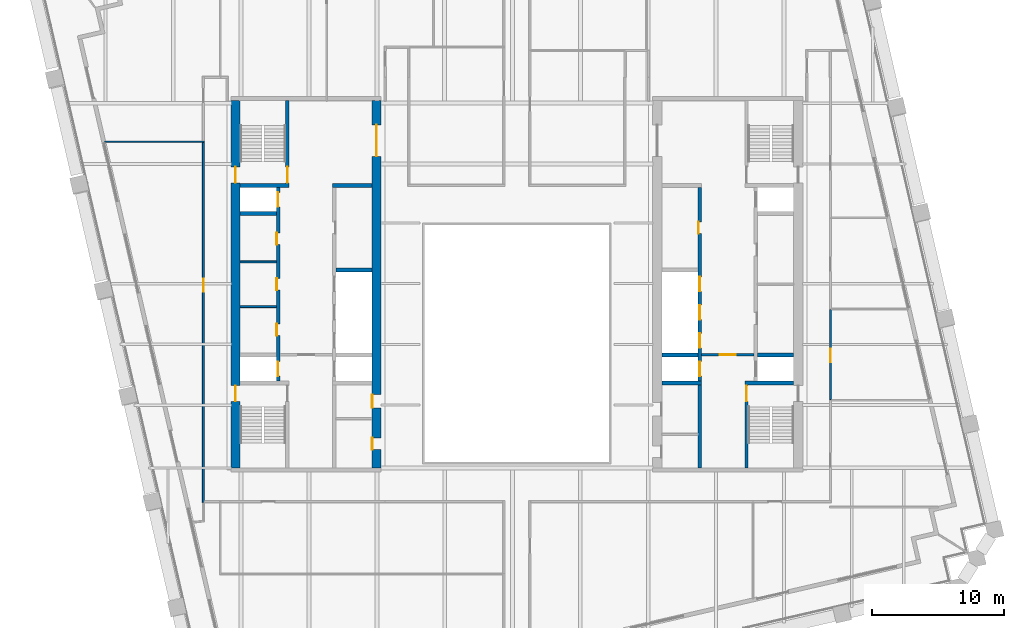
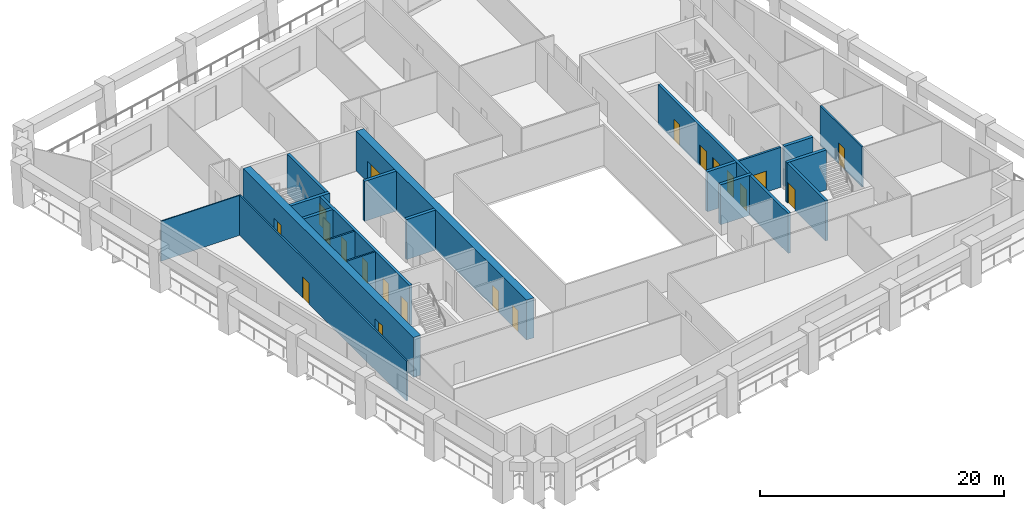
# One storey, part 5 of 10: 20 doors, 20 walls, 20 openings.
"""IFC4 building model written with IfcOpenShell, lengths in metres."""

from ifc_helpers import new_model, si_unit, direction, frame, frame_2d, origin, place, context, subcontext, project, spatial, rectangle, extrude, material, layer, layer_set, type_object, element, fill, save


model = new_model("IFC4")

# Units and contexts
model_context = context("Model", 3, precision=1e-05, world=origin(), true_north=direction((0.0, 1.0)))
body_context = subcontext(model_context, "Body", "Model", "MODEL_VIEW")
ifc_project = project(units=[si_unit("LENGTHUNIT", "METRE"), si_unit("AREAUNIT", "SQUARE_METRE"), si_unit("VOLUMEUNIT", "CUBIC_METRE"), si_unit("PLANEANGLEUNIT", "RADIAN"), si_unit("MASSUNIT", "GRAM", prefix="KILO")], contexts=[model_context])

# Site, building, storey
site_placement = place(None, origin())
site = spatial("IfcSite", under=ifc_project, at=site_placement, CompositionType="ELEMENT")
building_placement = place(site_placement, origin())
building = spatial("IfcBuilding", under=site, at=building_placement, Name="Ogive Exchange Tower", CompositionType="ELEMENT")
storey_placement = place(building_placement, frame((0.0, 0.0, 201.0)))
storey = spatial("IfcBuildingStorey", under=building, at=storey_placement, Name="L44", CompositionType="ELEMENT", Elevation=201.0)

# Walls
ifc_material_1 = material(Name="Gypsum board partition")
ifc_layer_1 = layer(ifc_material_1, 0.14990234375)
ifc_layer_set_1 = layer_set([ifc_layer_1], Name="Core room partition 150 gypsum")
wall_type_1 = type_object("IfcWallType", Name="Core room partition 150 gypsum", PredefinedType="PARTITIONING", material=ifc_layer_set_1)
for number, where, z_axis, x_axis, name in (
    (1, (-21.0, 9.800048828125, 0.0), (0.0, 0.0, 1.0), (1.0, 0.0, 0.0), "W row A bay partition 1-1"),
    (2, (-21.0, 13.199951171875, 0.0), (0.0, 0.0, 1.0), (1.0, 0.0, 0.0), "W row A bay partition 1-2"),
):
    element("IfcWall", number, at=place(storey_placement, frame(where, z_axis=z_axis, x_axis=x_axis)), inside=storey, type_object=wall_type_1, Name=name, PredefinedType="PARTITIONING", context=body_context, shape_type="SweptSolid", body=[
        extrude(rectangle(XDim=2.75, YDim=0.14990234375, at=frame_2d((1.375, 0.0))), origin(), (0.0, 0.0, 1.0), 4.0),
    ])
ifc_layer_2 = layer(ifc_material_1, 0.300048828125)
ifc_layer_set_2 = layer_set([ifc_layer_2], Name="Core room partition 300 gypsum")
wall_type_2 = type_object("IfcWallType", Name="Core room partition 300 gypsum", PredefinedType="PARTITIONING", material=ifc_layer_set_2)
wall_1_placement = place(storey_placement, frame((-14.0, 19.0, 0.0), z_axis=(0.0, 0.0, 1.0), x_axis=(1.0, 0.0, 0.0)))
element("IfcWall", 3, at=wall_1_placement, inside=storey, type_object=wall_type_2, Name="W row B room end wall 7", PredefinedType="PARTITIONING", context=body_context, shape_type="SweptSolid", body=[
    extrude(rectangle(XDim=3.0, YDim=0.300048828125, at=frame_2d((1.5, 0.0))), origin(), (0.0, 0.0, 1.0), 4.0),
])

# Wall, opening, door
ifc_material_2 = material(Name="Fire partition EI 60 150")
ifc_layer_3 = layer(ifc_material_2, 0.14990234375)
ifc_layer_set_3 = layer_set([ifc_layer_3], Name="Fire partition EI 60 150")
wall_type_3 = type_object("IfcWallType", Name="Fire partition EI 60 150", PredefinedType="PARTITIONING", material=ifc_layer_set_3)
wall_2_placement = place(storey_placement, frame((-23.800048828125, -5.074951171875, 0.0), z_axis=(0.0, 0.0, 1.0), x_axis=(0.0, 1.0, 0.0)))
wall_2 = element("IfcWall", 4, at=wall_2_placement, inside=storey, type_object=wall_type_3, Name="L44-PWL-003", PredefinedType="PARTITIONING", context=body_context, shape_type="SweptSolid", body=[
    extrude(rectangle(XDim=27.3349609375, YDim=0.14990234375, at=frame_2d((13.66748046875, 0.0))), origin(), (0.0, 0.0, 1.0), 4.0),
])
opening_1_placement = place(wall_2_placement, frame((15.985107421875, 0.0, 0.0)))
opening_1 = element("IfcOpeningElement", 5, at=opening_1_placement, cuts=wall_2, Name="Opening L44-I05", PredefinedType="OPENING", context=body_context, shape_type="SweptSolid", body=[
    extrude(rectangle(XDim=1.0, YDim=2.10009765625, at=frame_2d((0.5, 1.050048828125))), frame((0.0, 0.0849609375, 0.0), z_axis=(0.0, -1.0, 0.0), x_axis=(1.0, 0.0, 0.0)), (0.0, 0.0, 1.0), 0.169921875),
])
ifc_material_3 = material(Name="Fire door FD 30S 1000 x 2100")
door_type_1 = type_object("IfcDoorType", Name="Fire door FD 30S 1000 x 2100", OperationType="NOTDEFINED", PredefinedType="DOOR", material=ifc_material_3)
door_1_placement = place(opening_1_placement, origin())
door_1 = element("IfcDoor", 6, at=door_1_placement, inside=storey, type_object=door_type_1, Name="L44-IDR-005", ObjectType="DT3", OperationType="SINGLE_SWING_RIGHT", OverallHeight=2.10009765625, OverallWidth=1.0, PredefinedType="DOOR", context=body_context, shape_type="SweptSolid", body=[
    extrude(rectangle(XDim=1.0, YDim=2.10009765625, at=frame_2d((0.5, 1.050048828125))), frame((0.0, 0.02490234375, 0.0), z_axis=(0.0, -1.0, 0.0), x_axis=(1.0, 0.0, 0.0)), (0.0, 0.0, 1.0), 0.050048828125),
])
fill(opening_1, door_1)

wall_3_placement = place(storey_placement, frame((23.800048828125, 9.570068359375, 0.0), z_axis=(0.0, 0.0, 1.0), x_axis=(0.0, -1.0, 0.0)))
wall_3 = element("IfcWall", 7, at=wall_3_placement, inside=storey, type_object=wall_type_3, Name="L44-PWL-051", PredefinedType="PARTITIONING", context=body_context, shape_type="SweptSolid", body=[
    extrude(rectangle(XDim=6.830078125, YDim=0.14990234375, at=frame_2d((3.4150390625, 0.0))), origin(), (0.0, 0.0, 1.0), 4.0),
])
opening_2_placement = place(wall_3_placement, frame((2.97998046875, 0.0, 0.0)))
opening_2 = element("IfcOpeningElement", 8, at=opening_2_placement, cuts=wall_3, Name="Opening L44-I14", PredefinedType="OPENING", context=body_context, shape_type="SweptSolid", body=[
    extrude(rectangle(XDim=1.0, YDim=2.10009765625, at=frame_2d((0.5, 1.050048828125))), frame((0.0, 0.0849609375, 0.0), z_axis=(0.0, -1.0, 0.0), x_axis=(1.0, 0.0, 0.0)), (0.0, 0.0, 1.0), 0.169921875),
])
door_2_placement = place(opening_2_placement, origin())
door_2 = element("IfcDoor", 9, at=door_2_placement, inside=storey, type_object=door_type_1, Name="L44-IDR-014", ObjectType="DT3", OperationType="SINGLE_SWING_LEFT", OverallHeight=2.10009765625, OverallWidth=1.0, PredefinedType="DOOR", context=body_context, shape_type="SweptSolid", body=[
    extrude(rectangle(XDim=1.0, YDim=2.10009765625, at=frame_2d((0.5, 1.050048828125))), frame((0.0, 0.02490234375, 0.0), z_axis=(0.0, -1.0, 0.0), x_axis=(1.0, 0.0, 0.0)), (0.0, 0.0, 1.0), 0.050048828125),
])
fill(opening_2, door_2)

# Wall
ifc_material_4 = material(Name="Partition 100 gypsum")
ifc_layer_4 = layer(ifc_material_4, 0.10009765625)
ifc_layer_set_4 = layer_set([ifc_layer_4], Name="Partition 100 gypsum")
wall_type_4 = type_object("IfcWallType", Name="Partition 100 gypsum", PredefinedType="PARTITIONING", material=ifc_layer_set_4)
wall_4_placement = place(storey_placement, frame((-31.2890625, 22.31005859375, 0.0), z_axis=(0.0, 0.0, 1.0), x_axis=(1.0, 0.0, 0.0)))
element("IfcWall", 10, at=wall_4_placement, inside=storey, type_object=wall_type_4, Name="L44-PWL-001", PredefinedType="PARTITIONING", context=body_context, shape_type="SweptSolid", body=[
    extrude(rectangle(XDim=7.56396484375, YDim=0.10009765625, at=frame_2d((3.781982421875, 0.0))), origin(), (0.0, 0.0, 1.0), 4.0),
])

# Wall, opening, door
ifc_material_5 = material(Name="Concrete C70/85", Category="concrete")
ifc_layer_5 = layer(ifc_material_5, 0.199951171875)
ifc_layer_set_5 = layer_set([ifc_layer_5], Name="RC core wall 200 C70/85")
wall_type_5 = type_object("IfcWallType", Name="RC core wall 200 C70/85", PredefinedType="SHEAR", material=ifc_layer_set_5)
wall_5_placement = place(storey_placement, frame((14.0, 6.142822265625, 0.0), z_axis=(0.0, 0.0, 1.0), x_axis=(1.0, 0.0, 0.0)))
wall_5 = element("IfcWall", 11, at=wall_5_placement, inside=storey, type_object=wall_type_5, Name="E firefighting lobby wall", PredefinedType="SHEAR", context=body_context, shape_type="SweptSolid", body=[
    extrude(rectangle(XDim=4.0, YDim=0.199951171875, at=frame_2d((2.0, 0.0))), origin(), (0.0, 0.0, 1.0), 4.0),
])
opening_3_placement = place(wall_5_placement, frame((1.39990234375, 0.0, 0.0)))
opening_3 = element("IfcOpeningElement", 12, at=opening_3_placement, cuts=wall_5, Name="Opening L44-C28", PredefinedType="OPENING", context=body_context, shape_type="SweptSolid", body=[
    extrude(rectangle(XDim=1.199951171875, YDim=2.10009765625, at=frame_2d((0.60009765625, 1.050048828125))), frame((0.0, 0.10986328125, 0.0), z_axis=(0.0, -1.0, 0.0), x_axis=(1.0, 0.0, 0.0)), (0.0, 0.0, 1.0), 0.219970703125),
])
ifc_material_6 = material(Name="Steel fire door", Category="steel")
door_type_2 = type_object("IfcDoorType", Name="Firefighting lobby door FD60 1200 x 2100", OperationType="NOTDEFINED", PredefinedType="DOOR", material=ifc_material_6)
door_3_placement = place(opening_3_placement, frame((1.199951171875, 0.0, 0.0), z_axis=(0.0, 0.0, 1.0), x_axis=(-1.0, 0.0, 0.0)))
door_3 = element("IfcDoor", 13, at=door_3_placement, inside=storey, type_object=door_type_2, Name="Firefighting lobby door", ObjectType="CD3", OperationType="SINGLE_SWING_RIGHT", OverallHeight=2.10009765625, OverallWidth=1.199951171875, PredefinedType="DOOR", context=body_context, shape_type="SweptSolid", body=[
    extrude(rectangle(XDim=1.199951171875, YDim=2.10009765625, at=frame_2d((0.60009765625, 1.050048828125))), frame((0.0, 0.02490234375, 0.0), z_axis=(0.0, -1.0, 0.0), x_axis=(1.0, 0.0, 0.0)), (0.0, 0.0, 1.0), 0.050048828125),
])
fill(opening_3, door_3)

ifc_layer_6 = layer(ifc_material_5, 0.25)
ifc_layer_set_6 = layer_set([ifc_layer_6], Name="RC core wall 250 C70/85")
wall_type_6 = type_object("IfcWallType", Name="RC core wall 250 C70/85", PredefinedType="SHEAR", material=ifc_layer_set_6)
wall_6_placement = place(storey_placement, frame((-17.425048828125, 19.14990234375, 0.0), z_axis=(0.0, 0.0, 1.0), x_axis=(0.0, 1.0, 0.0)))
wall_6 = element("IfcWall", 14, at=wall_6_placement, inside=storey, type_object=wall_type_6, Name="W stair N front wall", PredefinedType="SHEAR", context=body_context, shape_type="SweptSolid", body=[
    extrude(rectangle(XDim=6.300048828125, YDim=0.25, at=frame_2d((3.14990234375, 0.0))), origin(), (0.0, 0.0, 1.0), 4.0),
])
opening_4_placement = place(wall_6_placement, frame((0.050048828125, 0.0, 0.0)))
opening_4 = element("IfcOpeningElement", 15, at=opening_4_placement, cuts=wall_6, Name="Opening L44-C15", PredefinedType="OPENING", context=body_context, shape_type="SweptSolid", body=[
    extrude(rectangle(XDim=1.199951171875, YDim=2.10009765625, at=frame_2d((0.60009765625, 1.050048828125))), frame((0.0, 0.135009765625, 0.0), z_axis=(0.0, -1.0, 0.0), x_axis=(1.0, 0.0, 0.0)), (0.0, 0.0, 1.0), 0.27001953125),
])
door_type_3 = type_object("IfcDoorType", Name="Stair door FD90 1200 x 2100", OperationType="NOTDEFINED", PredefinedType="DOOR", material=ifc_material_6)
door_4_placement = place(opening_4_placement, origin())
door_4 = element("IfcDoor", 16, at=door_4_placement, inside=storey, type_object=door_type_3, Name="Stair door", ObjectType="CD5", OperationType="SINGLE_SWING_RIGHT", OverallHeight=2.10009765625, OverallWidth=1.199951171875, PredefinedType="DOOR", context=body_context, shape_type="SweptSolid", body=[
    extrude(rectangle(XDim=1.199951171875, YDim=2.10009765625, at=frame_2d((0.60009765625, 1.050048828125))), frame((0.0, 0.02490234375, 0.0), z_axis=(0.0, -1.0, 0.0), x_axis=(1.0, 0.0, 0.0)), (0.0, 0.0, 1.0), 0.050048828125),
])
fill(opening_4, door_4)

# Wall, openings, doors
wall_7_placement = place(storey_placement, frame((-18.125, 4.14990234375, 0.0), z_axis=(0.0, 0.0, 1.0), x_axis=(0.0, 1.0, 0.0)))
wall_7 = element("IfcWall", 17, at=wall_7_placement, inside=storey, type_object=wall_type_6, Name="W row A front wall", PredefinedType="SHEAR", context=body_context, shape_type="SweptSolid", body=[
    extrude(rectangle(XDim=14.7001953125, YDim=0.25, at=frame_2d((7.35009765625, 0.0))), origin(), (0.0, 0.0, 1.0), 4.0),
])
opening_5_placement = place(wall_7_placement, frame((3.4462890625, 0.0, 0.0)))
opening_5 = element("IfcOpeningElement", 18, at=opening_5_placement, cuts=wall_7, Name="Opening L44-C01", PredefinedType="OPENING", context=body_context, shape_type="SweptSolid", body=[
    extrude(rectangle(XDim=0.89990234375, YDim=2.10009765625, at=frame_2d((0.449951171875, 1.050048828125))), frame((0.0, 0.135009765625, 0.0), z_axis=(0.0, -1.0, 0.0), x_axis=(1.0, 0.0, 0.0)), (0.0, 0.0, 1.0), 0.27001953125),
])
opening_6_placement = place(wall_7_placement, frame((6.89990234375, 0.0, 0.0)))
opening_6 = element("IfcOpeningElement", 19, at=opening_6_placement, cuts=wall_7, Name="Opening L44-C02", PredefinedType="OPENING", context=body_context, shape_type="SweptSolid", body=[
    extrude(rectangle(XDim=0.89990234375, YDim=2.10009765625, at=frame_2d((0.449951171875, 1.050048828125))), frame((0.0, 0.135009765625, 0.0), z_axis=(0.0, -1.0, 0.0), x_axis=(1.0, 0.0, 0.0)), (0.0, 0.0, 1.0), 0.27001953125),
])
opening_7_placement = place(wall_7_placement, frame((10.353515625, 0.0, 0.0)))
opening_7 = element("IfcOpeningElement", 20, at=opening_7_placement, cuts=wall_7, Name="Opening L44-C03", PredefinedType="OPENING", context=body_context, shape_type="SweptSolid", body=[
    extrude(rectangle(XDim=0.89990234375, YDim=2.10009765625, at=frame_2d((0.449951171875, 1.050048828125))), frame((0.0, 0.135009765625, 0.0), z_axis=(0.0, -1.0, 0.0), x_axis=(1.0, 0.0, 0.0)), (0.0, 0.0, 1.0), 0.27001953125),
])
opening_8_placement = place(wall_7_placement, frame((0.371337890625, 0.0, 0.0)))
opening_8 = element("IfcOpeningElement", 21, at=opening_8_placement, cuts=wall_7, Name="Opening L44-C04", PredefinedType="OPENING", context=body_context, shape_type="SweptSolid", body=[
    extrude(rectangle(XDim=1.10009765625, YDim=2.10009765625, at=frame_2d((0.550048828125, 1.050048828125))), frame((0.0, 0.135009765625, 0.0), z_axis=(0.0, -1.0, 0.0), x_axis=(1.0, 0.0, 0.0)), (0.0, 0.0, 1.0), 0.27001953125),
])
opening_9_placement = place(wall_7_placement, frame((13.228515625, 0.0, 0.0)))
opening_9 = element("IfcOpeningElement", 22, at=opening_9_placement, cuts=wall_7, Name="Opening L44-C05", PredefinedType="OPENING", context=body_context, shape_type="SweptSolid", body=[
    extrude(rectangle(XDim=1.10009765625, YDim=2.10009765625, at=frame_2d((0.550048828125, 1.050048828125))), frame((0.0, 0.135009765625, 0.0), z_axis=(0.0, -1.0, 0.0), x_axis=(1.0, 0.0, 0.0)), (0.0, 0.0, 1.0), 0.27001953125),
])
ifc_material_7 = material(Name="Timber fire door", Category="wood")
door_type_4 = type_object("IfcDoorType", Name="Core room door FD30S 900 x 2100", OperationType="NOTDEFINED", PredefinedType="DOOR", material=ifc_material_7)
door_5_placement = place(opening_6_placement, origin())
door_5 = element("IfcDoor", 23, at=door_5_placement, inside=storey, type_object=door_type_4, Name="Core room door", ObjectType="CD6", OperationType="SINGLE_SWING_LEFT", OverallHeight=2.10009765625, OverallWidth=0.89990234375, PredefinedType="DOOR", context=body_context, shape_type="SweptSolid", body=[
    extrude(rectangle(XDim=0.89990234375, YDim=2.10009765625, at=frame_2d((0.449951171875, 1.050048828125))), frame((0.0, 0.125, 0.0), z_axis=(0.0, -1.0, 0.0), x_axis=(1.0, 0.0, 0.0)), (0.0, 0.0, 1.0), 0.050048828125),
])
fill(opening_6, door_5)
ifc_material_8 = material(Name="Stainless steel", Category="steel")
door_type_5 = type_object("IfcDoorType", Name="Lift landing door FD90 1100 x 2100", OperationType="SLIDING_TO_LEFT", PredefinedType="DOOR", material=ifc_material_8)
door_6_placement = place(opening_8_placement, origin())
door_6 = element("IfcDoor", 24, at=door_6_placement, inside=storey, type_object=door_type_5, Name="Lift landing door FF1", ObjectType="LD", OperationType="SLIDING_TO_LEFT", OverallHeight=2.10009765625, OverallWidth=1.10009765625, PredefinedType="DOOR", context=body_context, shape_type="SweptSolid", body=[
    extrude(rectangle(XDim=1.10009765625, YDim=2.10009765625, at=frame_2d((0.550048828125, 1.050048828125))), frame((0.0, 0.02490234375, 0.0), z_axis=(0.0, -1.0, 0.0), x_axis=(1.0, 0.0, 0.0)), (0.0, 0.0, 1.0), 0.050048828125),
])
fill(opening_8, door_6)
door_7_placement = place(opening_9_placement, origin())
door_7 = element("IfcDoor", 25, at=door_7_placement, inside=storey, type_object=door_type_5, Name="Lift landing door W-SH2", ObjectType="LD", OperationType="SLIDING_TO_LEFT", OverallHeight=2.10009765625, OverallWidth=1.10009765625, PredefinedType="DOOR", context=body_context, shape_type="SweptSolid", body=[
    extrude(rectangle(XDim=1.10009765625, YDim=2.10009765625, at=frame_2d((0.550048828125, 1.050048828125))), frame((0.0, 0.02490234375, 0.0), z_axis=(0.0, -1.0, 0.0), x_axis=(1.0, 0.0, 0.0)), (0.0, 0.0, 1.0), 0.050048828125),
])
fill(opening_9, door_7)
door_type_6 = type_object("IfcDoorType", Name="Riser door FD60 900 x 2100", OperationType="NOTDEFINED", PredefinedType="DOOR", material=ifc_material_6)
door_8_placement = place(opening_5_placement, origin())
door_8 = element("IfcDoor", 26, at=door_8_placement, inside=storey, type_object=door_type_6, Name="Riser door", ObjectType="CD2", OperationType="SINGLE_SWING_LEFT", OverallHeight=2.10009765625, OverallWidth=0.89990234375, PredefinedType="DOOR", context=body_context, shape_type="SweptSolid", body=[
    extrude(rectangle(XDim=0.89990234375, YDim=2.10009765625, at=frame_2d((0.449951171875, 1.050048828125))), frame((0.0, 0.125, 0.0), z_axis=(0.0, -1.0, 0.0), x_axis=(1.0, 0.0, 0.0)), (0.0, 0.0, 1.0), 0.050048828125),
])
fill(opening_5, door_8)
door_9_placement = place(opening_7_placement, origin())
door_9 = element("IfcDoor", 27, at=door_9_placement, inside=storey, type_object=door_type_6, Name="Riser door", ObjectType="CD2", OperationType="SINGLE_SWING_LEFT", OverallHeight=2.10009765625, OverallWidth=0.89990234375, PredefinedType="DOOR", context=body_context, shape_type="SweptSolid", body=[
    extrude(rectangle(XDim=0.89990234375, YDim=2.10009765625, at=frame_2d((0.449951171875, 1.050048828125))), frame((0.0, 0.125, 0.0), z_axis=(0.0, -1.0, 0.0), x_axis=(1.0, 0.0, 0.0)), (0.0, 0.0, 1.0), 0.050048828125),
])
fill(opening_7, door_9)

# Wall, opening, door
wall_8_placement = place(storey_placement, frame((17.425048828125, -2.449951171875, 0.0), z_axis=(0.0, 0.0, 1.0), x_axis=(0.0, 1.0, 0.0)))
wall_8 = element("IfcWall", 28, at=wall_8_placement, inside=storey, type_object=wall_type_6, Name="E stair S front wall", PredefinedType="SHEAR", context=body_context, shape_type="SweptSolid", body=[
    extrude(rectangle(XDim=6.300048828125, YDim=0.25, at=frame_2d((3.14990234375, 0.0))), origin(), (0.0, 0.0, 1.0), 4.0),
])
opening_10_placement = place(wall_8_placement, frame((5.050048828125, 0.0, 0.0)))
opening_10 = element("IfcOpeningElement", 29, at=opening_10_placement, cuts=wall_8, Name="Opening L44-C30", PredefinedType="OPENING", context=body_context, shape_type="SweptSolid", body=[
    extrude(rectangle(XDim=1.199951171875, YDim=2.10009765625, at=frame_2d((0.60009765625, 1.050048828125))), frame((0.0, 0.135009765625, 0.0), z_axis=(0.0, -1.0, 0.0), x_axis=(1.0, 0.0, 0.0)), (0.0, 0.0, 1.0), 0.27001953125),
])
door_10_placement = place(opening_10_placement, frame((1.199951171875, 0.0, 0.0), z_axis=(0.0, 0.0, 1.0), x_axis=(-1.0, 0.0, 0.0)))
door_10 = element("IfcDoor", 30, at=door_10_placement, inside=storey, type_object=door_type_3, Name="Stair door", ObjectType="CD5", OperationType="SINGLE_SWING_RIGHT", OverallHeight=2.10009765625, OverallWidth=1.199951171875, PredefinedType="DOOR", context=body_context, shape_type="SweptSolid", body=[
    extrude(rectangle(XDim=1.199951171875, YDim=2.10009765625, at=frame_2d((0.60009765625, 1.050048828125))), frame((0.0, 0.02490234375, 0.0), z_axis=(0.0, -1.0, 0.0), x_axis=(1.0, 0.0, 0.0)), (0.0, 0.0, 1.0), 0.050048828125),
])
fill(opening_10, door_10)

# Wall, openings, doors
wall_9_placement = place(storey_placement, frame((13.875, -2.449951171875, 0.0), z_axis=(0.0, 0.0, 1.0), x_axis=(0.0, 1.0, 0.0)))
wall_9 = element("IfcWall", 31, at=wall_9_placement, inside=storey, type_object=wall_type_6, Name="E row B front wall", PredefinedType="SHEAR", context=body_context, shape_type="SweptSolid", body=[
    extrude(rectangle(XDim=21.300048828125, YDim=0.25, at=frame_2d((10.64990234375, 0.0))), origin(), (0.0, 0.0, 1.0), 4.0),
])
opening_11_placement = place(wall_9_placement, frame((17.78564453125, 0.0, 0.0)))
opening_11 = element("IfcOpeningElement", 32, at=opening_11_placement, cuts=wall_9, Name="Opening L44-C23", PredefinedType="OPENING", context=body_context, shape_type="SweptSolid", body=[
    extrude(rectangle(XDim=0.89990234375, YDim=2.10009765625, at=frame_2d((0.449951171875, 1.050048828125))), frame((0.0, 0.135009765625, 0.0), z_axis=(0.0, -1.0, 0.0), x_axis=(1.0, 0.0, 0.0)), (0.0, 0.0, 1.0), 0.27001953125),
])
opening_12_placement = place(wall_9_placement, frame((6.971435546875, 0.0, 0.0)))
opening_12 = element("IfcOpeningElement", 33, at=opening_12_placement, cuts=wall_9, Name="Opening L44-C24", PredefinedType="OPENING", context=body_context, shape_type="SweptSolid", body=[
    extrude(rectangle(XDim=1.10009765625, YDim=2.10009765625, at=frame_2d((0.550048828125, 1.050048828125))), frame((0.0, 0.135009765625, 0.0), z_axis=(0.0, -1.0, 0.0), x_axis=(1.0, 0.0, 0.0)), (0.0, 0.0, 1.0), 0.27001953125),
])
opening_13_placement = place(wall_9_placement, frame((9.1142578125, 0.0, 0.0)))
opening_13 = element("IfcOpeningElement", 34, at=opening_13_placement, cuts=wall_9, Name="Opening L44-C25", PredefinedType="OPENING", context=body_context, shape_type="SweptSolid", body=[
    extrude(rectangle(XDim=1.10009765625, YDim=2.10009765625, at=frame_2d((0.550048828125, 1.050048828125))), frame((0.0, 0.135009765625, 0.0), z_axis=(0.0, -1.0, 0.0), x_axis=(1.0, 0.0, 0.0)), (0.0, 0.0, 1.0), 0.27001953125),
])
opening_14_placement = place(wall_9_placement, frame((11.257080078125, 0.0, 0.0)))
opening_14 = element("IfcOpeningElement", 35, at=opening_14_placement, cuts=wall_9, Name="Opening L44-C26", PredefinedType="OPENING", context=body_context, shape_type="SweptSolid", body=[
    extrude(rectangle(XDim=1.10009765625, YDim=2.10009765625, at=frame_2d((0.550048828125, 1.050048828125))), frame((0.0, 0.135009765625, 0.0), z_axis=(0.0, -1.0, 0.0), x_axis=(1.0, 0.0, 0.0)), (0.0, 0.0, 1.0), 0.27001953125),
])
opening_15_placement = place(wall_9_placement, frame((13.39990234375, 0.0, 0.0)))
opening_15 = element("IfcOpeningElement", 36, at=opening_15_placement, cuts=wall_9, Name="Opening L44-C27", PredefinedType="OPENING", context=body_context, shape_type="SweptSolid", body=[
    extrude(rectangle(XDim=1.10009765625, YDim=2.10009765625, at=frame_2d((0.550048828125, 1.050048828125))), frame((0.0, 0.135009765625, 0.0), z_axis=(0.0, -1.0, 0.0), x_axis=(1.0, 0.0, 0.0)), (0.0, 0.0, 1.0), 0.27001953125),
])
door_11_placement = place(opening_11_placement, origin())
door_11 = element("IfcDoor", 37, at=door_11_placement, inside=storey, type_object=door_type_4, Name="Core room door", ObjectType="CD6", OperationType="SINGLE_SWING_LEFT", OverallHeight=2.10009765625, OverallWidth=0.89990234375, PredefinedType="DOOR", context=body_context, shape_type="SweptSolid", body=[
    extrude(rectangle(XDim=0.89990234375, YDim=2.10009765625, at=frame_2d((0.449951171875, 1.050048828125))), frame((0.0, 0.125, 0.0), z_axis=(0.0, -1.0, 0.0), x_axis=(1.0, 0.0, 0.0)), (0.0, 0.0, 1.0), 0.050048828125),
])
fill(opening_11, door_11)
door_12_placement = place(opening_12_placement, origin())
door_12 = element("IfcDoor", 38, at=door_12_placement, inside=storey, type_object=door_type_5, Name="Lift landing door SV2", ObjectType="LD", OperationType="SLIDING_TO_LEFT", OverallHeight=2.10009765625, OverallWidth=1.10009765625, PredefinedType="DOOR", context=body_context, shape_type="SweptSolid", body=[
    extrude(rectangle(XDim=1.10009765625, YDim=2.10009765625, at=frame_2d((0.550048828125, 1.050048828125))), frame((0.0, 0.02490234375, 0.0), z_axis=(0.0, -1.0, 0.0), x_axis=(1.0, 0.0, 0.0)), (0.0, 0.0, 1.0), 0.050048828125),
])
fill(opening_12, door_12)
door_13_placement = place(opening_13_placement, origin())
door_13 = element("IfcDoor", 39, at=door_13_placement, inside=storey, type_object=door_type_5, Name="Lift landing door E-M1", ObjectType="LD", OperationType="SLIDING_TO_LEFT", OverallHeight=2.10009765625, OverallWidth=1.10009765625, PredefinedType="DOOR", context=body_context, shape_type="SweptSolid", body=[
    extrude(rectangle(XDim=1.10009765625, YDim=2.10009765625, at=frame_2d((0.550048828125, 1.050048828125))), frame((0.0, 0.02490234375, 0.0), z_axis=(0.0, -1.0, 0.0), x_axis=(1.0, 0.0, 0.0)), (0.0, 0.0, 1.0), 0.050048828125),
])
fill(opening_13, door_13)
door_14_placement = place(opening_14_placement, origin())
door_14 = element("IfcDoor", 40, at=door_14_placement, inside=storey, type_object=door_type_5, Name="Lift landing door E-M2", ObjectType="LD", OperationType="SLIDING_TO_LEFT", OverallHeight=2.10009765625, OverallWidth=1.10009765625, PredefinedType="DOOR", context=body_context, shape_type="SweptSolid", body=[
    extrude(rectangle(XDim=1.10009765625, YDim=2.10009765625, at=frame_2d((0.550048828125, 1.050048828125))), frame((0.0, 0.02490234375, 0.0), z_axis=(0.0, -1.0, 0.0), x_axis=(1.0, 0.0, 0.0)), (0.0, 0.0, 1.0), 0.050048828125),
])
fill(opening_14, door_14)
door_15_placement = place(opening_15_placement, origin())
door_15 = element("IfcDoor", 41, at=door_15_placement, inside=storey, type_object=door_type_5, Name="Lift landing door E-M3", ObjectType="LD", OperationType="SLIDING_TO_LEFT", OverallHeight=2.10009765625, OverallWidth=1.10009765625, PredefinedType="DOOR", context=body_context, shape_type="SweptSolid", body=[
    extrude(rectangle(XDim=1.10009765625, YDim=2.10009765625, at=frame_2d((0.550048828125, 1.050048828125))), frame((0.0, 0.02490234375, 0.0), z_axis=(0.0, -1.0, 0.0), x_axis=(1.0, 0.0, 0.0)), (0.0, 0.0, 1.0), 0.050048828125),
])
fill(opening_15, door_15)

# Walls
ifc_layer_7 = layer(ifc_material_5, 0.300048828125)
ifc_layer_set_7 = layer_set([ifc_layer_7], Name="RC core wall 300 C70/85")
wall_type_7 = type_object("IfcWallType", Name="RC core wall 300 C70/85", PredefinedType="SHEAR", material=ifc_layer_set_7)
wall_10_placement = place(storey_placement, frame((-21.0, 19.0, 0.0), z_axis=(0.0, 0.0, 1.0), x_axis=(1.0, 0.0, 0.0)))
element("IfcWall", 42, at=wall_10_placement, inside=storey, type_object=wall_type_7, Name="W stair N south wall", PredefinedType="SHEAR", context=body_context, shape_type="SweptSolid", body=[
    extrude(rectangle(XDim=3.699951171875, YDim=0.300048828125, at=frame_2d((1.85009765625, 0.0))), origin(), (0.0, 0.0, 1.0), 4.0),
])
for number, where, z_axis, x_axis, name in (
    (43, (-21.0, 16.857177734375, 0.0), (0.0, 0.0, 1.0), (1.0, 0.0, 0.0), "W row A divider 6"),
    (44, (-13.75, 12.5712890625, 0.0), (0.0, 0.0, 1.0), (1.0, 0.0, 0.0), "W row B divider 4"),
):
    element("IfcWall", number, at=place(storey_placement, frame(where, z_axis=z_axis, x_axis=x_axis)), inside=storey, type_object=wall_type_7, Name=name, PredefinedType="SHEAR", context=body_context, shape_type="SweptSolid", body=[
        extrude(rectangle(XDim=2.75, YDim=0.300048828125, at=frame_2d((1.375, 0.0))), origin(), (0.0, 0.0, 1.0), 4.0),
    ])
wall_11_placement = place(storey_placement, frame((17.300048828125, 4.0, 0.0), z_axis=(0.0, 0.0, 1.0), x_axis=(1.0, 0.0, 0.0)))
element("IfcWall", 45, at=wall_11_placement, inside=storey, type_object=wall_type_7, Name="E stair S north wall", PredefinedType="SHEAR", context=body_context, shape_type="SweptSolid", body=[
    extrude(rectangle(XDim=3.699951171875, YDim=0.300048828125, at=frame_2d((1.85009765625, 0.0))), origin(), (0.0, 0.0, 1.0), 4.0),
])
wall_12_placement = place(storey_placement, frame((18.25, 6.142822265625, 0.0), z_axis=(0.0, 0.0, 1.0), x_axis=(1.0, 0.0, 0.0)))
element("IfcWall", 46, at=wall_12_placement, inside=storey, type_object=wall_type_7, Name="E row A divider 1", PredefinedType="SHEAR", context=body_context, shape_type="SweptSolid", body=[
    extrude(rectangle(XDim=2.75, YDim=0.300048828125, at=frame_2d((1.375, 0.0))), origin(), (0.0, 0.0, 1.0), 4.0),
])
wall_13_placement = place(storey_placement, frame((11.0, 4.0, 0.0), z_axis=(0.0, 0.0, 1.0), x_axis=(1.0, 0.0, 0.0)))
element("IfcWall", 47, at=wall_13_placement, inside=storey, type_object=wall_type_7, Name="E row B divider 0", PredefinedType="SHEAR", context=body_context, shape_type="SweptSolid", body=[
    extrude(rectangle(XDim=3.0, YDim=0.300048828125, at=frame_2d((1.5, 0.0))), origin(), (0.0, 0.0, 1.0), 4.0),
])
wall_14_placement = place(storey_placement, frame((11.0, 6.142822265625, 0.0), z_axis=(0.0, 0.0, 1.0), x_axis=(1.0, 0.0, 0.0)))
element("IfcWall", 48, at=wall_14_placement, inside=storey, type_object=wall_type_7, Name="E row B divider 1", PredefinedType="SHEAR", context=body_context, shape_type="SweptSolid", body=[
    extrude(rectangle(XDim=2.75, YDim=0.300048828125, at=frame_2d((1.375, 0.0))), origin(), (0.0, 0.0, 1.0), 4.0),
])

# Wall, openings, doors
ifc_layer_8 = layer(ifc_material_5, 0.699951171875)
ifc_layer_set_8 = layer_set([ifc_layer_8], Name="RC core wall 700 C70/85")
wall_type_8 = type_object("IfcWallType", Name="RC core wall 700 C70/85", PredefinedType="SHEAR", material=ifc_layer_set_8)
wall_15_placement = place(storey_placement, frame((-21.35009765625, -2.449951171875, 0.0), z_axis=(0.0, 0.0, 1.0), x_axis=(0.0, 1.0, 0.0)))
wall_15 = element("IfcWall", 49, at=wall_15_placement, inside=storey, type_object=wall_type_8, Name="W outer wall", PredefinedType="SHEAR", context=body_context, shape_type="SweptSolid", body=[
    extrude(rectangle(XDim=27.89990234375, YDim=0.699951171875, at=frame_2d((13.949951171875, 0.0))), origin(), (0.0, 0.0, 1.0), 4.0),
])
opening_16_placement = place(wall_15_placement, frame((5.050048828125, 0.0, 0.0)))
opening_16 = element("IfcOpeningElement", 50, at=opening_16_placement, cuts=wall_15, Name="Opening L44-C14", PredefinedType="OPENING", context=body_context, shape_type="SweptSolid", body=[
    extrude(rectangle(XDim=1.199951171875, YDim=2.10009765625, at=frame_2d((0.60009765625, 1.050048828125))), frame((0.0, 0.35986328125, 0.0), z_axis=(0.0, -1.0, 0.0), x_axis=(1.0, 0.0, 0.0)), (0.0, 0.0, 1.0), 0.719970703125),
])
opening_17_placement = place(wall_15_placement, frame((21.64990234375, 0.0, 0.0)))
opening_17 = element("IfcOpeningElement", 51, at=opening_17_placement, cuts=wall_15, Name="Opening L44-C16", PredefinedType="OPENING", context=body_context, shape_type="SweptSolid", body=[
    extrude(rectangle(XDim=1.199951171875, YDim=2.10009765625, at=frame_2d((0.60009765625, 1.050048828125))), frame((0.0, 0.35986328125, 0.0), z_axis=(0.0, -1.0, 0.0), x_axis=(1.0, 0.0, 0.0)), (0.0, 0.0, 1.0), 0.719970703125),
])
door_16_placement = place(opening_16_placement, frame((1.199951171875, 0.0, 0.0), z_axis=(0.0, 0.0, 1.0), x_axis=(-1.0, 0.0, 0.0)))
door_16 = element("IfcDoor", 52, at=door_16_placement, inside=storey, type_object=door_type_3, Name="Stair door", ObjectType="CD5", OperationType="SINGLE_SWING_RIGHT", OverallHeight=2.10009765625, OverallWidth=1.199951171875, PredefinedType="DOOR", context=body_context, shape_type="SweptSolid", body=[
    extrude(rectangle(XDim=1.199951171875, YDim=2.10009765625, at=frame_2d((0.60009765625, 1.050048828125))), frame((0.0, 0.02490234375, 0.0), z_axis=(0.0, -1.0, 0.0), x_axis=(1.0, 0.0, 0.0)), (0.0, 0.0, 1.0), 0.050048828125),
])
fill(opening_16, door_16)
door_17_placement = place(opening_17_placement, frame((1.199951171875, 0.0, 0.0), z_axis=(0.0, 0.0, 1.0), x_axis=(-1.0, 0.0, 0.0)))
door_17 = element("IfcDoor", 53, at=door_17_placement, inside=storey, type_object=door_type_3, Name="Stair door", ObjectType="CD5", OperationType="SINGLE_SWING_LEFT", OverallHeight=2.10009765625, OverallWidth=1.199951171875, PredefinedType="DOOR", context=body_context, shape_type="SweptSolid", body=[
    extrude(rectangle(XDim=1.199951171875, YDim=2.10009765625, at=frame_2d((0.60009765625, 1.050048828125))), frame((0.0, 0.02490234375, 0.0), z_axis=(0.0, -1.0, 0.0), x_axis=(1.0, 0.0, 0.0)), (0.0, 0.0, 1.0), 0.050048828125),
])
fill(opening_17, door_17)

wall_16_placement = place(storey_placement, frame((-10.64990234375, -2.449951171875, 0.0), z_axis=(0.0, 0.0, 1.0), x_axis=(0.0, 1.0, 0.0)))
wall_16 = element("IfcWall", 54, at=wall_16_placement, inside=storey, type_object=wall_type_8, Name="W inner wall", PredefinedType="SHEAR", context=body_context, shape_type="SweptSolid", body=[
    extrude(rectangle(XDim=27.89990234375, YDim=0.699951171875, at=frame_2d((13.949951171875, 0.0))), origin(), (0.0, 0.0, 1.0), 4.0),
])
opening_18_placement = place(wall_16_placement, frame((23.64990234375, 0.0, 0.0)))
opening_18 = element("IfcOpeningElement", 55, at=opening_18_placement, cuts=wall_16, Name="Opening L44-C12", PredefinedType="OPENING", context=body_context, shape_type="SweptSolid", body=[
    extrude(rectangle(XDim=2.39990234375, YDim=2.10009765625, at=frame_2d((1.199951171875, 1.050048828125))), frame((0.0, 0.35986328125, 0.0), z_axis=(0.0, -1.0, 0.0), x_axis=(1.0, 0.0, 0.0)), (0.0, 0.0, 1.0), 0.719970703125),
])
opening_19_placement = place(wall_16_placement, frame((1.387451171875, 0.0, 0.0)))
opening_19 = element("IfcOpeningElement", 56, at=opening_19_placement, cuts=wall_16, Name="Opening L44-C17", PredefinedType="OPENING", context=body_context, shape_type="SweptSolid", body=[
    extrude(rectangle(XDim=0.89990234375, YDim=2.10009765625, at=frame_2d((0.449951171875, 1.050048828125))), frame((0.0, 0.35986328125, 0.0), z_axis=(0.0, -1.0, 0.0), x_axis=(1.0, 0.0, 0.0)), (0.0, 0.0, 1.0), 0.719970703125),
])
opening_20_placement = place(wall_16_placement, frame((4.5625, 0.0, 0.0)))
opening_20 = element("IfcOpeningElement", 57, at=opening_20_placement, cuts=wall_16, Name="Opening L44-C18", PredefinedType="OPENING", context=body_context, shape_type="SweptSolid", body=[
    extrude(rectangle(XDim=1.0, YDim=2.10009765625, at=frame_2d((0.5, 1.050048828125))), frame((0.0, 0.35986328125, 0.0), z_axis=(0.0, -1.0, 0.0), x_axis=(1.0, 0.0, 0.0)), (0.0, 0.0, 1.0), 0.719970703125),
])
door_type_7 = type_object("IfcDoorType", Name="Accessible WC door FD30S 1000 x 2100", OperationType="NOTDEFINED", PredefinedType="DOOR", material=ifc_material_7)
door_18_placement = place(opening_20_placement, origin())
door_18 = element("IfcDoor", 58, at=door_18_placement, inside=storey, type_object=door_type_7, Name="Accessible WC door", ObjectType="CD7", OperationType="SINGLE_SWING_RIGHT", OverallHeight=2.10009765625, OverallWidth=1.0, PredefinedType="DOOR", context=body_context, shape_type="SweptSolid", body=[
    extrude(rectangle(XDim=1.0, YDim=2.10009765625, at=frame_2d((0.5, 1.050048828125))), frame((0.0, 0.35009765625, 0.0), z_axis=(0.0, -1.0, 0.0), x_axis=(1.0, 0.0, 0.0)), (0.0, 0.0, 1.0), 0.050048828125),
])
fill(opening_20, door_18)
door_19_placement = place(opening_19_placement, origin())
door_19 = element("IfcDoor", 59, at=door_19_placement, inside=storey, type_object=door_type_4, Name="Core room door", ObjectType="CD6", OperationType="SINGLE_SWING_LEFT", OverallHeight=2.10009765625, OverallWidth=0.89990234375, PredefinedType="DOOR", context=body_context, shape_type="SweptSolid", body=[
    extrude(rectangle(XDim=0.89990234375, YDim=2.10009765625, at=frame_2d((0.449951171875, 1.050048828125))), frame((0.0, 0.35009765625, 0.0), z_axis=(0.0, -1.0, 0.0), x_axis=(1.0, 0.0, 0.0)), (0.0, 0.0, 1.0), 0.050048828125),
])
fill(opening_19, door_19)
ifc_material_9 = material(Name="Glazed steel fire door", Category="steel")
door_type_8 = type_object("IfcDoorType", Name="Lift lobby double door FD60 2400 x 2100", OperationType="DOUBLE_DOOR_SINGLE_SWING", PredefinedType="DOOR", material=ifc_material_9)
door_20_placement = place(opening_18_placement, frame((2.39990234375, 0.0, 0.0), z_axis=(0.0, 0.0, 1.0), x_axis=(-1.0, 0.0, 0.0)))
door_20 = element("IfcDoor", 60, at=door_20_placement, inside=storey, type_object=door_type_8, Name="Lift lobby double door", ObjectType="CD4", OperationType="DOUBLE_DOOR_SINGLE_SWING", OverallHeight=2.10009765625, OverallWidth=2.39990234375, PredefinedType="DOOR", context=body_context, shape_type="SweptSolid", body=[
    extrude(rectangle(XDim=2.39990234375, YDim=2.10009765625, at=frame_2d((1.199951171875, 1.050048828125))), frame((0.0, 0.02490234375, 0.0), z_axis=(0.0, -1.0, 0.0), x_axis=(1.0, 0.0, 0.0)), (0.0, 0.0, 1.0), 0.050048828125),
])
fill(opening_18, door_20)

save(model, "model.ifc")
